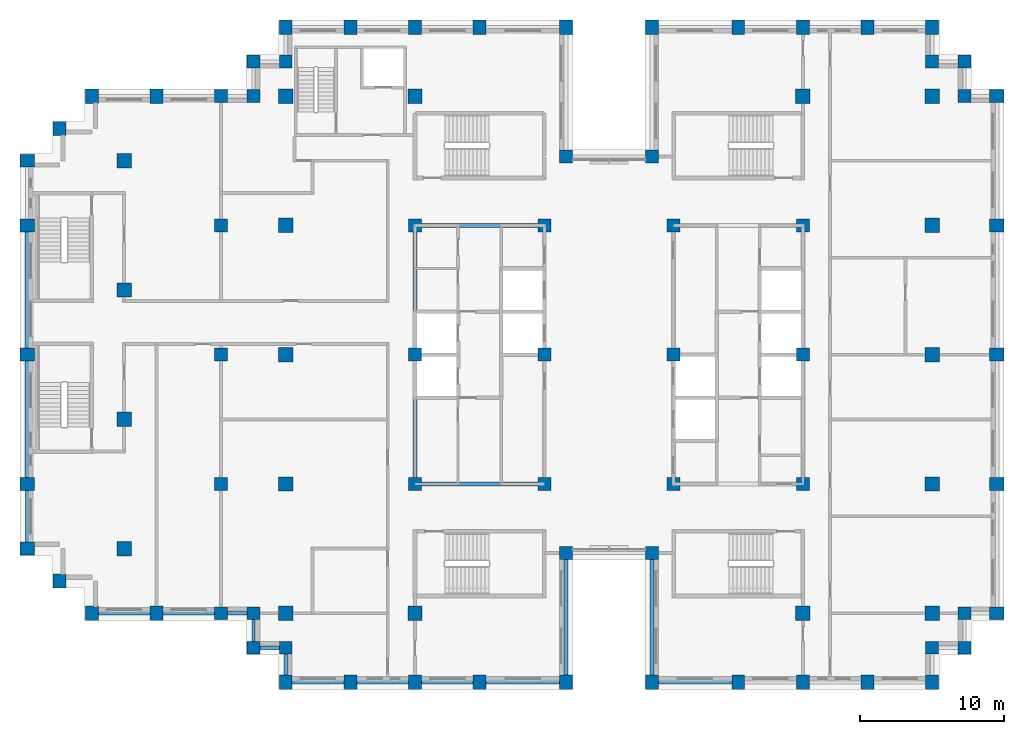
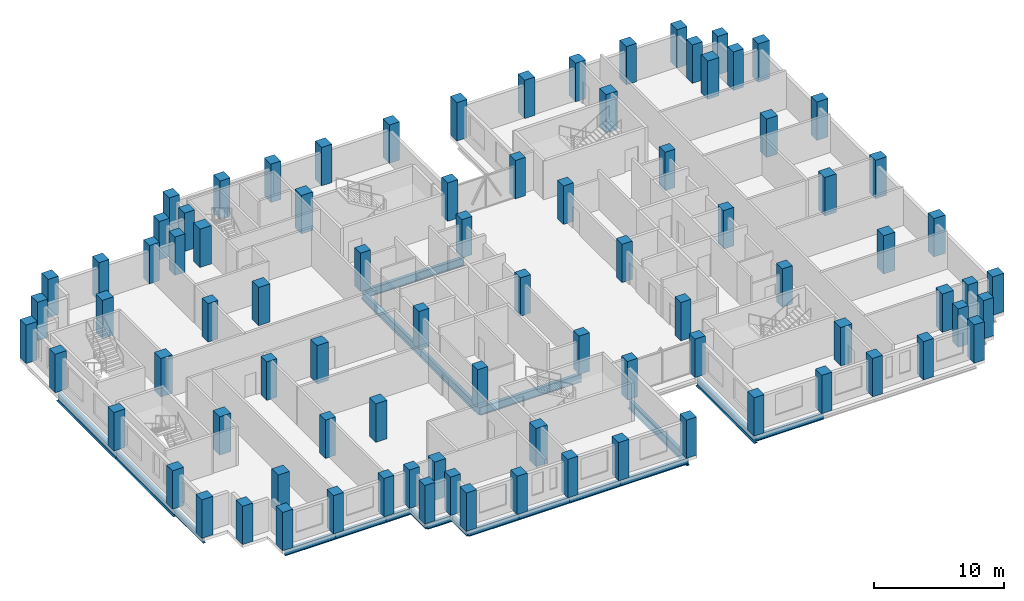
# One storey, part 1 of 15: 87 columns, 20 beams.
"""IFC4 building model written with IfcOpenShell, lengths in metres."""

from ifc_helpers import new_model, si_unit, direction, frame, origin, origin_2d, place, context, subcontext, project, spatial, rectangle, i_section, extrude, material, material_profile, profile_set, type_object, element, save


model = new_model("IFC4")

# Units and contexts
model_context = context("Model", 3, precision=1e-05, world=origin(), true_north=direction((0.0, 1.0)))
body_context = subcontext(model_context, "Body", "Model", "MODEL_VIEW")
ifc_project = project(units=[si_unit("LENGTHUNIT", "METRE"), si_unit("AREAUNIT", "SQUARE_METRE"), si_unit("VOLUMEUNIT", "CUBIC_METRE"), si_unit("PLANEANGLEUNIT", "RADIAN"), si_unit("MASSUNIT", "GRAM", prefix="KILO")], contexts=[model_context])

# Site, building, storey
site_placement = place(None, origin())
site = spatial("IfcSite", under=ifc_project, at=site_placement, CompositionType="ELEMENT")
building_placement = place(site_placement, origin())
building = spatial("IfcBuilding", under=site, at=building_placement, Name="Corbelhall Arena Tower", CompositionType="ELEMENT")
storey_placement = place(building_placement, frame((0.0, 0.0, 232.0)))
storey = spatial("IfcBuildingStorey", under=building, at=storey_placement, Name="L49", CompositionType="ELEMENT", Elevation=232.0)

# Columns
ifc_material_1 = material(Name="Concrete C80/95", Category="concrete")
ifc_material_profile_1 = material_profile(ifc_material_1, rectangle(XDim=1.0, YDim=1.0, at=origin_2d()))
ifc_profile_set_1 = profile_set([ifc_material_profile_1], Name="Concrete C80/95")
column_type_1 = type_object("IfcColumnType", Name="ST-COL-RC 1000x1000", PredefinedType="COLUMN", material=ifc_profile_set_1)
for number, where, z_axis, x_axis, name in (
    (1, (-33.75, 4.5, 0.0), (0.0, 0.0, 1.0), (1.0, 0.0, 0.0), "Column FIC+0450"),
    (2, (-33.75, 13.5, 0.0), (0.0, 0.0, 1.0), (1.0, 0.0, 0.0), "Column FIC+1350"),
    (3, (-33.75, -4.5, 0.0), (0.0, 0.0, 1.0), (1.0, 0.0, 0.0), "Column FIC-0450"),
    (4, (-33.75, -13.5, 0.0), (0.0, 0.0, 1.0), (1.0, 0.0, 0.0), "Column FIC-1350"),
    (5, (13.5, 18.0, 0.0), (0.0, 0.0, 1.0), (1.0, 0.0, 0.0), "Column IE13+1800"),
    (6, (13.5, -18.0, 0.0), (0.0, 0.0, 1.0), (1.0, 0.0, 0.0), "Column IE13-1800"),
    (7, (22.5, 0.0, 0.0), (0.0, 0.0, 1.0), (1.0, 0.0, 0.0), "Column IE22+0000"),
    (8, (22.5, 9.0, 0.0), (0.0, 0.0, 1.0), (1.0, 0.0, 0.0), "Column IE22+0900"),
    (9, (22.5, 18.0, 0.0), (0.0, 0.0, 1.0), (1.0, 0.0, 0.0), "Column IE22+1800"),
    (10, (22.5, -9.0, 0.0), (0.0, 0.0, 1.0), (1.0, 0.0, 0.0), "Column IE22-0900"),
    (11, (22.5, -18.0, 0.0), (0.0, 0.0, 1.0), (1.0, 0.0, 0.0), "Column IE22-1800"),
    (12, (-13.5, 18.0, 0.0), (0.0, 0.0, 1.0), (1.0, 0.0, 0.0), "Column IW13+1800"),
    (13, (-13.5, -18.0, 0.0), (0.0, 0.0, 1.0), (1.0, 0.0, 0.0), "Column IW13-1800"),
    (14, (-22.5, 0.0, 0.0), (0.0, 0.0, 1.0), (1.0, 0.0, 0.0), "Column IW22+0000"),
    (15, (-22.5, 9.0, 0.0), (0.0, 0.0, 1.0), (1.0, 0.0, 0.0), "Column IW22+0900"),
    (16, (-22.5, 18.0, 0.0), (0.0, 0.0, 1.0), (1.0, 0.0, 0.0), "Column IW22+1800"),
    (17, (-22.5, -9.0, 0.0), (0.0, 0.0, 1.0), (1.0, 0.0, 0.0), "Column IW22-0900"),
    (18, (-22.5, -18.0, 0.0), (0.0, 0.0, 1.0), (1.0, 0.0, 0.0), "Column IW22-1800"),
):
    element("IfcColumn", number, at=place(storey_placement, frame(where, z_axis=z_axis, x_axis=x_axis)), inside=storey, type_object=column_type_1, Name=name, PredefinedType="COLUMN", context=body_context, shape_type="SweptSolid", body=[
        extrude(rectangle(XDim=1.0, YDim=1.0, at=origin_2d()), origin(), (0.0, 0.0, 1.0), 3.599609375),
    ])
ifc_material_profile_2 = material_profile(ifc_material_1, rectangle(XDim=0.89990234375, YDim=1.0, at=origin_2d()))
ifc_profile_set_2 = profile_set([ifc_material_profile_2], Name="Concrete C80/95")
column_type_2 = type_object("IfcColumnType", Name="ST-COL-RC 900x1000", PredefinedType="COLUMN", material=ifc_profile_set_2)
for number, where, z_axis, x_axis, name in (
    (19, (-40.5, 0.0, 0.0), (0.0, 0.0, 1.0), (0.0, 1.0, 0.0), "Column FC+0000"),
    (20, (-40.5, 9.0, 0.0), (0.0, 0.0, 1.0), (0.0, 1.0, 0.0), "Column FC+0900"),
    (21, (-40.5, 13.5, 0.0), (0.0, 0.0, 1.0), (0.0, 1.0, 0.0), "Column FC+1350"),
    (22, (-40.5, -9.0, 0.0), (0.0, 0.0, 1.0), (0.0, 1.0, 0.0), "Column FC-0900"),
    (23, (-40.5, -13.5, 0.0), (0.0, 0.0, 1.0), (0.0, 1.0, 0.0), "Column FC-1350"),
    (24, (-38.25, 15.75, 0.0), (0.0, 0.0, 1.0), (1.0, 0.0, 0.0), "Column FCCN"),
    (25, (-38.25, -15.75, 0.0), (0.0, 0.0, 1.0), (1.0, 0.0, 0.0), "Column FCCS"),
    (26, (-31.5, 18.0, 0.0), (0.0, 0.0, 1.0), (1.0, 0.0, 0.0), "Column FCN3150"),
    (27, (-36.0, 18.0, 0.0), (0.0, 0.0, 1.0), (1.0, 0.0, 0.0), "Column FCN3600"),
    (28, (-31.5, -18.0, 0.0), (0.0, 0.0, 1.0), (1.0, 0.0, 0.0), "Column FCS3150"),
    (29, (-36.0, -18.0, 0.0), (0.0, 0.0, 1.0), (1.0, 0.0, 0.0), "Column FCS3600"),
    (30, (27.0, 0.0, 0.0), (0.0, 0.0, 1.0), (0.0, 1.0, 0.0), "Column PE+0000"),
    (31, (27.0, 9.0, 0.0), (0.0, 0.0, 1.0), (0.0, 1.0, 0.0), "Column PE+0900"),
    (32, (27.0, 18.0, 0.0), (0.0, 0.0, 1.0), (0.0, 1.0, 0.0), "Column PE+1800"),
    (33, (27.0, -9.0, 0.0), (0.0, 0.0, 1.0), (0.0, 1.0, 0.0), "Column PE-0900"),
    (34, (27.0, -18.0, 0.0), (0.0, 0.0, 1.0), (0.0, 1.0, 0.0), "Column PE-1800"),
    (35, (3.0, 22.800048828125, 0.0), (0.0, 0.0, 1.0), (1.0, 0.0, 0.0), "Column PNE0300"),
    (36, (9.0, 22.800048828125, 0.0), (0.0, 0.0, 1.0), (1.0, 0.0, 0.0), "Column PNE0900"),
    (37, (13.5, 22.800048828125, 0.0), (0.0, 0.0, 1.0), (1.0, 0.0, 0.0), "Column PNE1350"),
    (38, (18.0, 22.800048828125, 0.0), (0.0, 0.0, 1.0), (1.0, 0.0, 0.0), "Column PNE1800"),
    (39, (22.5, 22.800048828125, 0.0), (0.0, 0.0, 1.0), (1.0, 0.0, 0.0), "Column PNE2250"),
    (40, (-3.0, 22.800048828125, 0.0), (0.0, 0.0, 1.0), (1.0, 0.0, 0.0), "Column PNW0300"),
    (41, (-9.0, 22.800048828125, 0.0), (0.0, 0.0, 1.0), (1.0, 0.0, 0.0), "Column PNW0900"),
    (42, (-13.5, 22.800048828125, 0.0), (0.0, 0.0, 1.0), (1.0, 0.0, 0.0), "Column PNW1350"),
    (43, (-18.0, 22.800048828125, 0.0), (0.0, 0.0, 1.0), (1.0, 0.0, 0.0), "Column PNW1800"),
    (44, (-22.5, 22.800048828125, 0.0), (0.0, 0.0, 1.0), (1.0, 0.0, 0.0), "Column PNW2250"),
    (45, (3.0, -22.800048828125, 0.0), (0.0, 0.0, 1.0), (1.0, 0.0, 0.0), "Column PSE0300"),
    (46, (9.0, -22.800048828125, 0.0), (0.0, 0.0, 1.0), (1.0, 0.0, 0.0), "Column PSE0900"),
    (47, (13.5, -22.800048828125, 0.0), (0.0, 0.0, 1.0), (1.0, 0.0, 0.0), "Column PSE1350"),
    (48, (18.0, -22.800048828125, 0.0), (0.0, 0.0, 1.0), (1.0, 0.0, 0.0), "Column PSE1800"),
    (49, (22.5, -22.800048828125, 0.0), (0.0, 0.0, 1.0), (1.0, 0.0, 0.0), "Column PSE2250"),
    (50, (-3.0, -22.800048828125, 0.0), (0.0, 0.0, 1.0), (1.0, 0.0, 0.0), "Column PSW0300"),
    (51, (-9.0, -22.800048828125, 0.0), (0.0, 0.0, 1.0), (1.0, 0.0, 0.0), "Column PSW0900"),
    (52, (-13.5, -22.800048828125, 0.0), (0.0, 0.0, 1.0), (1.0, 0.0, 0.0), "Column PSW1350"),
    (53, (-18.0, -22.800048828125, 0.0), (0.0, 0.0, 1.0), (1.0, 0.0, 0.0), "Column PSW1800"),
    (54, (-22.5, -22.800048828125, 0.0), (0.0, 0.0, 1.0), (1.0, 0.0, 0.0), "Column PSW2250"),
):
    element("IfcColumn", number, at=place(storey_placement, frame(where, z_axis=z_axis, x_axis=x_axis)), inside=storey, type_object=column_type_2, Name=name, PredefinedType="COLUMN", context=body_context, shape_type="SweptSolid", body=[
        extrude(rectangle(XDim=0.89990234375, YDim=1.0, at=origin_2d()), origin(), (0.0, 0.0, 1.0), 3.599609375),
    ])
ifc_material_profile_3 = material_profile(ifc_material_1, rectangle(XDim=0.89990234375, YDim=0.89990234375, at=origin_2d()))
ifc_profile_set_3 = profile_set([ifc_material_profile_3], Name="Concrete C80/95")
column_type_3 = type_object("IfcColumnType", Name="ST-COL-RC 900x900", PredefinedType="COLUMN", material=ifc_profile_set_3)
for number, where, z_axis, x_axis, name in (
    (55, (4.5, 0.0, 0.0), (0.0, 0.0, 1.0), (1.0, 0.0, 0.0), "Column KE+0450+0000"),
    (56, (4.5, 9.0, 0.0), (0.0, 0.0, 1.0), (1.0, 0.0, 0.0), "Column KE+0450+0900"),
    (57, (4.5, -9.0, 0.0), (0.0, 0.0, 1.0), (1.0, 0.0, 0.0), "Column KE+0450-0900"),
    (58, (13.5, 0.0, 0.0), (0.0, 0.0, 1.0), (1.0, 0.0, 0.0), "Column KE+1350+0000"),
    (59, (13.5, 9.0, 0.0), (0.0, 0.0, 1.0), (1.0, 0.0, 0.0), "Column KE+1350+0900"),
    (60, (13.5, -9.0, 0.0), (0.0, 0.0, 1.0), (1.0, 0.0, 0.0), "Column KE+1350-0900"),
    (61, (-4.5, 0.0, 0.0), (0.0, 0.0, 1.0), (1.0, 0.0, 0.0), "Column KW-0450+0000"),
    (62, (-4.5, 9.0, 0.0), (0.0, 0.0, 1.0), (1.0, 0.0, 0.0), "Column KW-0450+0900"),
    (63, (-4.5, -9.0, 0.0), (0.0, 0.0, 1.0), (1.0, 0.0, 0.0), "Column KW-0450-0900"),
    (64, (-13.5, 0.0, 0.0), (0.0, 0.0, 1.0), (1.0, 0.0, 0.0), "Column KW-1350+0000"),
    (65, (-13.5, 9.0, 0.0), (0.0, 0.0, 1.0), (1.0, 0.0, 0.0), "Column KW-1350+0900"),
    (66, (-13.5, -9.0, 0.0), (0.0, 0.0, 1.0), (1.0, 0.0, 0.0), "Column KW-1350-0900"),
    (67, (-27.0, 0.0, 0.0), (0.0, 0.0, 1.0), (1.0, 0.0, 0.0), "Column PW+0000"),
    (68, (-27.0, 9.0, 0.0), (0.0, 0.0, 1.0), (1.0, 0.0, 0.0), "Column PW+0900"),
    (69, (-27.0, 18.0, 0.0), (0.0, 0.0, 1.0), (1.0, 0.0, 0.0), "Column PW+1800"),
    (70, (-27.0, -9.0, 0.0), (0.0, 0.0, 1.0), (1.0, 0.0, 0.0), "Column PW-0900"),
    (71, (-27.0, -18.0, 0.0), (0.0, 0.0, 1.0), (1.0, 0.0, 0.0), "Column PW-1800"),
    (72, (3.0, 13.800048828125, 0.0), (0.0, 0.0, 1.0), (1.0, 0.0, 0.0), "Column SLNE2"),
    (73, (-3.0, 13.800048828125, 0.0), (0.0, 0.0, 1.0), (1.0, 0.0, 0.0), "Column SLNW2"),
    (74, (3.0, -13.800048828125, 0.0), (0.0, 0.0, 1.0), (1.0, 0.0, 0.0), "Column SLSE2"),
    (75, (-3.0, -13.800048828125, 0.0), (0.0, 0.0, 1.0), (1.0, 0.0, 0.0), "Column SLSW2"),
    (76, (22.5, 20.39990234375, 0.0), (0.0, 0.0, 1.0), (1.0, 0.0, 0.0), "Column XNE1"),
    (77, (24.75, 20.39990234375, 0.0), (0.0, 0.0, 1.0), (1.0, 0.0, 0.0), "Column XNE2"),
    (78, (24.75, 18.0, 0.0), (0.0, 0.0, 1.0), (1.0, 0.0, 0.0), "Column XNE3"),
    (79, (-22.5, 20.39990234375, 0.0), (0.0, 0.0, 1.0), (1.0, 0.0, 0.0), "Column XNW1"),
    (80, (-24.75, 20.39990234375, 0.0), (0.0, 0.0, 1.0), (1.0, 0.0, 0.0), "Column XNW2"),
    (81, (-24.75, 18.0, 0.0), (0.0, 0.0, 1.0), (1.0, 0.0, 0.0), "Column XNW3"),
    (82, (22.5, -20.39990234375, 0.0), (0.0, 0.0, 1.0), (1.0, 0.0, 0.0), "Column XSE1"),
    (83, (24.75, -20.39990234375, 0.0), (0.0, 0.0, 1.0), (1.0, 0.0, 0.0), "Column XSE2"),
    (84, (24.75, -18.0, 0.0), (0.0, 0.0, 1.0), (1.0, 0.0, 0.0), "Column XSE3"),
    (85, (-22.5, -20.39990234375, 0.0), (0.0, 0.0, 1.0), (1.0, 0.0, 0.0), "Column XSW1"),
    (86, (-24.75, -20.39990234375, 0.0), (0.0, 0.0, 1.0), (1.0, 0.0, 0.0), "Column XSW2"),
    (87, (-24.75, -18.0, 0.0), (0.0, 0.0, 1.0), (1.0, 0.0, 0.0), "Column XSW3"),
):
    element("IfcColumn", number, at=place(storey_placement, frame(where, z_axis=z_axis, x_axis=x_axis)), inside=storey, type_object=column_type_3, Name=name, PredefinedType="COLUMN", context=body_context, shape_type="SweptSolid", body=[
        extrude(rectangle(XDim=0.89990234375, YDim=0.89990234375, at=origin_2d()), origin(), (0.0, 0.0, 1.0), 3.599609375),
    ])

# Beams
ifc_material_2 = material(Name="Steel ASTM A992 Gr50", Category="steel")
ifc_material_profile_4 = material_profile(ifc_material_2, i_section(OverallWidth=0.2666015625, OverallDepth=0.761962890625, WebThickness=0.014404296875, FlangeThickness=0.021484375, at=origin_2d()))
ifc_profile_set_4 = profile_set([ifc_material_profile_4], Name="Steel ASTM A992 Gr50")
beam_type_1 = type_object("IfcBeamType", Name="ST-BEAM-W30x116", PredefinedType="BEAM", material=ifc_profile_set_4)
for number, where, z_axis, x_axis, name in (
    (88, (-13.5, -9.0, -0.660888671875), (0.0, 1.0, 0.0), (-1.0, 0.0, 0.0), "Beam CEW 1"),
    (89, (-13.5, 0.0, -0.660888671875), (0.0, 1.0, 0.0), (-1.0, 0.0, 0.0), "Beam CEW 2"),
    (90, (-13.5, -9.0, -0.660888671875), (1.0, 0.0, 0.0), (0.0, 1.0, 0.0), "Beam CEW 5"),
    (91, (-13.5, 9.0, -0.660888671875), (1.0, 0.0, 0.0), (0.0, 1.0, 0.0), "Beam CEW 6"),
):
    element("IfcBeam", number, at=place(storey_placement, frame(where, z_axis=z_axis, x_axis=x_axis)), inside=storey, type_object=beam_type_1, Name=name, PredefinedType="BEAM", context=body_context, shape_type="SweptSolid", body=[
        extrude(i_section(OverallWidth=0.2666015625, OverallDepth=0.761962890625, WebThickness=0.014404296875, FlangeThickness=0.021484375, at=origin_2d()), origin(), (0.0, 0.0, 1.0), 9.0),
    ])
ifc_material_profile_5 = material_profile(ifc_material_2, i_section(OverallWidth=0.228271484375, OverallDepth=0.607177734375, WebThickness=0.01123046875, FlangeThickness=0.017333984375, at=origin_2d()))
ifc_profile_set_5 = profile_set([ifc_material_profile_5], Name="Steel ASTM A992 Gr50")
beam_type_2 = type_object("IfcBeamType", Name="ST-SPANDREL-W24x76", PredefinedType="SPANDREL", material=ifc_profile_set_5)
for number, where, z_axis, x_axis, name in (
    (92, (-40.5, -13.5, -0.58349609375), (0.0, 1.0, 0.0), (-1.0, 0.0, 0.0), "Beam SP 4"),
    (93, (-31.5, -18.0, -0.58349609375), (-1.0, 0.0, 0.0), (0.0, -1.0, 0.0), "Beam SP 7"),
):
    element("IfcBeam", number, at=place(storey_placement, frame(where, z_axis=z_axis, x_axis=x_axis)), inside=storey, type_object=beam_type_2, Name=name, PredefinedType="SPANDREL", context=body_context, shape_type="SweptSolid", body=[
        extrude(i_section(OverallWidth=0.228271484375, OverallDepth=0.607177734375, WebThickness=0.01123046875, FlangeThickness=0.017333984375, at=origin_2d()), origin(), (0.0, 0.0, 1.0), 4.5),
    ])
for number, where, z_axis, x_axis, name in (
    (94, (9.0, -22.800048828125, -0.58349609375), (-1.0, 0.0, 0.0), (0.0, -1.0, 0.0), "Beam SP 24"),
    (95, (-3.0, -22.800048828125, -0.58349609375), (-1.0, 0.0, 0.0), (0.0, -1.0, 0.0), "Beam SP 28"),
):
    element("IfcBeam", number, at=place(storey_placement, frame(where, z_axis=z_axis, x_axis=x_axis)), inside=storey, type_object=beam_type_2, Name=name, PredefinedType="SPANDREL", context=body_context, shape_type="SweptSolid", body=[
        extrude(i_section(OverallWidth=0.228271484375, OverallDepth=0.607177734375, WebThickness=0.01123046875, FlangeThickness=0.017333984375, at=origin_2d()), origin(), (0.0, 0.0, 1.0), 6.0),
    ])
for number, where, z_axis, x_axis, name in (
    (96, (-9.0, -22.800048828125, -0.58349609375), (-1.0, 0.0, 0.0), (0.0, -1.0, 0.0), "Beam SP 29"),
    (97, (-13.5, -22.800048828125, -0.58349609375), (-1.0, 0.0, 0.0), (0.0, -1.0, 0.0), "Beam SP 30"),
    (98, (-18.0, -22.800048828125, -0.58349609375), (-1.0, 0.0, 0.0), (0.0, -1.0, 0.0), "Beam SP 31"),
):
    element("IfcBeam", number, at=place(storey_placement, frame(where, z_axis=z_axis, x_axis=x_axis)), inside=storey, type_object=beam_type_2, Name=name, PredefinedType="SPANDREL", context=body_context, shape_type="SweptSolid", body=[
        extrude(i_section(OverallWidth=0.228271484375, OverallDepth=0.607177734375, WebThickness=0.01123046875, FlangeThickness=0.017333984375, at=origin_2d()), origin(), (0.0, 0.0, 1.0), 4.5),
    ])
beam_1_placement = place(storey_placement, frame((-22.5, -22.800048828125, -0.58349609375), z_axis=(0.0, 1.0, 0.0), x_axis=(-1.0, 0.0, 0.0)))
element("IfcBeam", 99, at=beam_1_placement, inside=storey, type_object=beam_type_2, Name="Beam SP 32", PredefinedType="SPANDREL", context=body_context, shape_type="SweptSolid", body=[
    extrude(i_section(OverallWidth=0.228271484375, OverallDepth=0.607177734375, WebThickness=0.01123046875, FlangeThickness=0.017333984375, at=origin_2d()), origin(), (0.0, 0.0, 1.0), 2.400146484375),
])
beam_2_placement = place(storey_placement, frame((-27.0, -18.0, -0.58349609375), z_axis=(-1.0, 0.0, 0.0), x_axis=(0.0, -1.0, 0.0)))
element("IfcBeam", 100, at=beam_2_placement, inside=storey, type_object=beam_type_2, Name="Beam SP 34", PredefinedType="SPANDREL", context=body_context, shape_type="SweptSolid", body=[
    extrude(i_section(OverallWidth=0.228271484375, OverallDepth=0.607177734375, WebThickness=0.01123046875, FlangeThickness=0.017333984375, at=origin_2d()), origin(), (0.0, 0.0, 1.0), 4.5),
])
beam_3_placement = place(storey_placement, frame((-22.5, -20.39990234375, -0.58349609375), z_axis=(-1.0, 0.0, 0.0), x_axis=(0.0, -1.0, 0.0)))
element("IfcBeam", 101, at=beam_3_placement, inside=storey, type_object=beam_type_2, Name="Beam SP 48", PredefinedType="SPANDREL", context=body_context, shape_type="SweptSolid", body=[
    extrude(i_section(OverallWidth=0.228271484375, OverallDepth=0.607177734375, WebThickness=0.01123046875, FlangeThickness=0.017333984375, at=origin_2d()), origin(), (0.0, 0.0, 1.0), 2.25),
])
beam_4_placement = place(storey_placement, frame((-24.75, -20.39990234375, -0.58349609375), z_axis=(0.0, 1.0, 0.0), x_axis=(-1.0, 0.0, 0.0)))
element("IfcBeam", 102, at=beam_4_placement, inside=storey, type_object=beam_type_2, Name="Beam SP 49", PredefinedType="SPANDREL", context=body_context, shape_type="SweptSolid", body=[
    extrude(i_section(OverallWidth=0.228271484375, OverallDepth=0.607177734375, WebThickness=0.01123046875, FlangeThickness=0.017333984375, at=origin_2d()), origin(), (0.0, 0.0, 1.0), 2.39990234375),
])
beam_5_placement = place(storey_placement, frame((-24.75, -18.0, -0.58349609375), z_axis=(-1.0, 0.0, 0.0), x_axis=(0.0, -1.0, 0.0)))
element("IfcBeam", 103, at=beam_5_placement, inside=storey, type_object=beam_type_2, Name="Beam SP 50", PredefinedType="SPANDREL", context=body_context, shape_type="SweptSolid", body=[
    extrude(i_section(OverallWidth=0.228271484375, OverallDepth=0.607177734375, WebThickness=0.01123046875, FlangeThickness=0.017333984375, at=origin_2d()), origin(), (0.0, 0.0, 1.0), 2.25),
])
ifc_material_profile_6 = material_profile(ifc_material_2, i_section(OverallWidth=0.2919921875, OverallDepth=0.845703125, WebThickness=0.015380859375, FlangeThickness=0.0244140625, at=origin_2d()))
ifc_profile_set_6 = profile_set([ifc_material_profile_6], Name="Steel ASTM A992 Gr50")
beam_type_3 = type_object("IfcBeamType", Name="ST-SPANDREL-W33x141", PredefinedType="SPANDREL", material=ifc_profile_set_6)
for number, where, z_axis, x_axis, name in (
    (104, (-40.5, 0.0, -0.702880859375), (0.0, 1.0, 0.0), (-1.0, 0.0, 0.0), "Beam SP 1"),
    (105, (-40.5, -9.0, -0.702880859375), (0.0, 1.0, 0.0), (-1.0, 0.0, 0.0), "Beam SP 3"),
    (106, (3.0, -22.800048828125, -0.702880859375), (0.0, 1.0, 0.0), (-1.0, 0.0, 0.0), "Beam SP 23"),
    (107, (-3.0, -13.800048828125, -0.702880859375), (0.0, -1.0, 0.0), (1.0, 0.0, 0.0), "Beam SP 38"),
):
    element("IfcBeam", number, at=place(storey_placement, frame(where, z_axis=z_axis, x_axis=x_axis)), inside=storey, type_object=beam_type_3, Name=name, PredefinedType="SPANDREL", context=body_context, shape_type="SweptSolid", body=[
        extrude(i_section(OverallWidth=0.2919921875, OverallDepth=0.845703125, WebThickness=0.015380859375, FlangeThickness=0.0244140625, at=origin_2d()), origin(), (0.0, 0.0, 1.0), 9.0),
    ])

save(model, "model.ifc")
